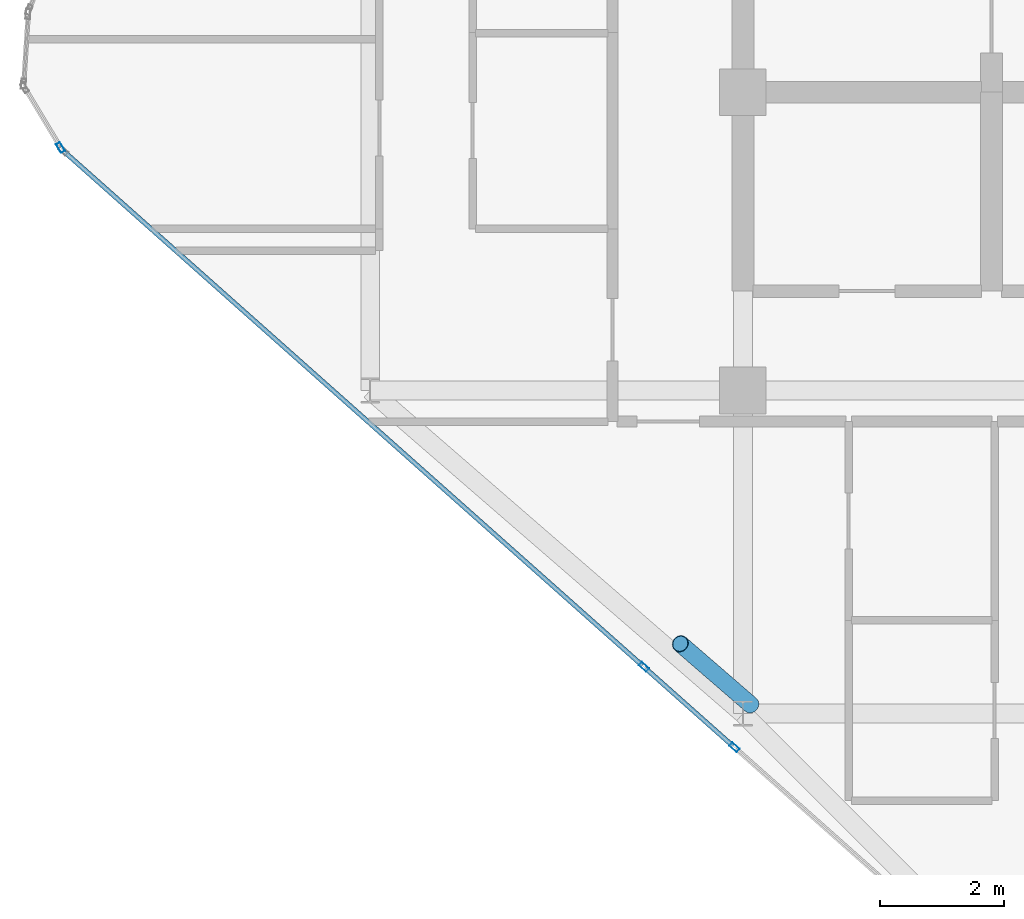
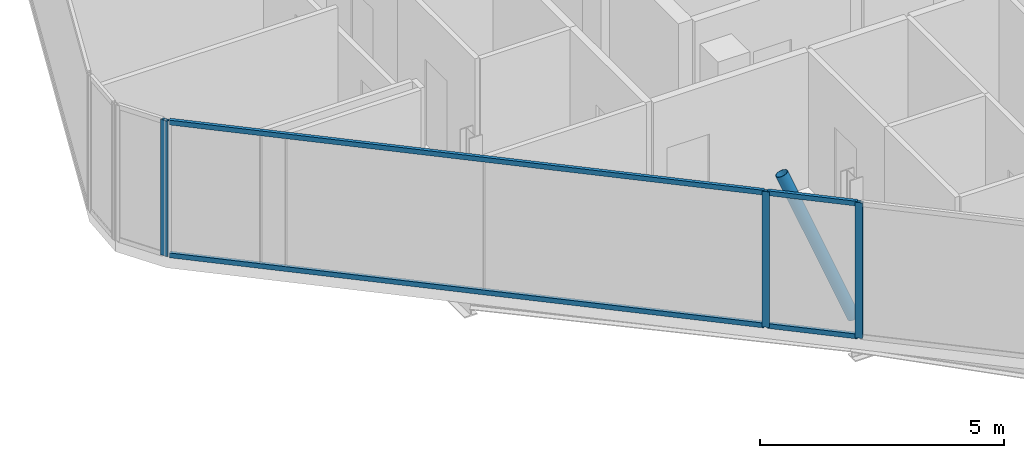
# One storey, part 3 of 27: 8 members, 4 elements without a shape of their own.
"""IFC4 building model written with IfcOpenShell, lengths in metres."""

import ifcopenshell
import ifcopenshell.guid

model = None  # the IFC model being written
_history = None  # IfcOwnerHistory: only IFC2X3 demands one
_inside = {}  # id of a spatial element -> (the spatial element, [elements in it])
_under = {}  # id of a project, library or spatial element -> (it, [spatial elements below it])
_declared = {}  # id of a project -> (the project, [libraries it declares])
_typed = {}  # id of a type object -> (the type object, [elements of that type])
_made_of = {}  # id of a material, layer set ... -> (it, [elements and type objects made of it])


def new_model(schema):
    """Start an empty IFC model of exactly this schema.

    Asked for "IFC4X3", IfcOpenShell would pick the latest addendum, in which some entities
    have other attributes; the version numbers below select the first issue.
    IFC2X3 requires an IfcOwnerHistory on every rooted entity: one is made here for all.
    """
    global model, _history
    if schema == "IFC4X3":
        model = ifcopenshell.file(schema_version=(4, 3, 0, 0))
    else:
        model = ifcopenshell.file(schema=schema)
    _inside.clear()
    _under.clear()
    _declared.clear()
    _typed.clear()
    _made_of.clear()
    _history = None
    if model.schema == "IFC2X3":
        org = make("IfcOrganization", Name="unknown")
        user = make(
            "IfcPersonAndOrganization",
            ThePerson=make("IfcPerson", FamilyName="unknown"),
            TheOrganization=org,
        )
        app = make(
            "IfcApplication",
            ApplicationDeveloper=org,
            Version="unknown",
            ApplicationFullName="unknown",
            ApplicationIdentifier="unknown",
        )
        _history = make(
            "IfcOwnerHistory",
            OwningUser=user,
            OwningApplication=app,
            ChangeAction="ADDED",
            CreationDate=0,
        )
    return model


def make(cls, **values):
    """One entity of the class cls with the attributes given. An attribute that is None is left unset."""
    return model.create_entity(
        cls, **{name: value for name, value in values.items() if value is not None}
    )


def rooted(cls, **values):
    """An entity with a GlobalId (a new one), such as an element, a storey or a relation."""
    return make(cls, GlobalId=ifcopenshell.guid.new(), OwnerHistory=_history, **values)


def si_unit(unit_type, name, prefix=None):
    """IfcSIUnit, for example si_unit("LENGTHUNIT", "METRE", prefix="MILLI")."""
    return make("IfcSIUnit", UnitType=unit_type, Prefix=prefix, Name=name)


def assignment(units):
    """IfcUnitAssignment: the units of a project."""
    return None if units is None else make("IfcUnitAssignment", Units=units)


def point(xyz):
    """IfcCartesianPoint."""
    return None if xyz is None else make("IfcCartesianPoint", Coordinates=xyz)


def direction(xyz):
    """IfcDirection."""
    return None if xyz is None else make("IfcDirection", DirectionRatios=xyz)


def frame(location, z_axis=None, x_axis=None):
    """IfcAxis2Placement3D, a coordinate frame: its origin and axes. An axis left out is left unset."""
    return make(
        "IfcAxis2Placement3D",
        Location=point(location),
        Axis=direction(z_axis),
        RefDirection=direction(x_axis),
    )


def frame_2d(location, x_axis=None):
    """IfcAxis2Placement2D, a coordinate frame in the plane: its origin and x axis."""
    return make(
        "IfcAxis2Placement2D", Location=point(location), RefDirection=direction(x_axis)
    )


def origin():
    """The frame at (0, 0, 0) with its axes left unset."""
    return frame((0.0, 0.0, 0.0))


def origin_2d():
    """The frame at (0, 0) in the plane with its x axis left unset."""
    return frame_2d((0.0, 0.0))


def place(relative_to, where):
    """IfcLocalPlacement: puts the frame where relative to a parent placement (None: the world)."""
    return make(
        "IfcLocalPlacement", PlacementRelTo=relative_to, RelativePlacement=where
    )


def context(
    kind, dimensions, precision=None, world=None, true_north=None, identifier=None
):
    """IfcGeometricRepresentationContext, for example the 3D "Model" context."""
    return make(
        "IfcGeometricRepresentationContext",
        ContextIdentifier=identifier,
        ContextType=kind,
        CoordinateSpaceDimension=dimensions,
        Precision=precision,
        WorldCoordinateSystem=world,
        TrueNorth=true_north,
    )


def subcontext(parent, identifier, kind, view, scale=None):
    """IfcGeometricRepresentationSubContext, for example "Body" below "Model"."""
    return make(
        "IfcGeometricRepresentationSubContext",
        ContextIdentifier=identifier,
        ContextType=kind,
        ParentContext=parent,
        TargetScale=scale,
        TargetView=view,
    )


def project(units=None, contexts=None):
    """IfcProject with its units and contexts."""
    return rooted(
        "IfcProject",
        Name="project",
        RepresentationContexts=contexts,
        UnitsInContext=assignment(units),
    )


def spatial(cls, under=None, at=None, **own):
    """A site, building, storey or space (cls), placed at a placement, below another one or the project."""
    s = rooted(cls, ObjectPlacement=at, **own)
    if under is not None:
        _under.setdefault(under.id(), (under, []))[1].append(s)
    return s


def profile(cls, at=None, kind="AREA", **sizes):
    """A parametric profile (cls). Its sizes go by their IFC names, for example OverallWidth=200.0."""
    return make(cls, ProfileType=kind, Position=at, **sizes)


def hollow_rectangle(**sizes):
    """IfcRectangleHollowProfileDef."""
    return profile("IfcRectangleHollowProfileDef", **sizes)


def hollow_circle(**sizes):
    """IfcCircleHollowProfileDef."""
    return profile("IfcCircleHollowProfileDef", **sizes)


def extrude(swept, where, along, depth):
    """IfcExtrudedAreaSolid: the profile swept, set in the frame where, extruded along a direction by depth."""
    return make(
        "IfcExtrudedAreaSolid",
        SweptArea=swept,
        Position=where,
        ExtrudedDirection=direction(along),
        Depth=depth,
    )


def shape(context_of_items, identifier, shape_type, items):
    """IfcShapeRepresentation: the items that make up one representation, for example the "Body"."""
    return make(
        "IfcShapeRepresentation",
        ContextOfItems=context_of_items,
        RepresentationIdentifier=identifier,
        RepresentationType=shape_type,
        Items=items,
    )


def material(Name=None, Category=None):
    """IfcMaterial."""
    return make("IfcMaterial", Name=Name, Category=Category)


def layer(
    of_material, thickness, ventilated=None, Name=None, Category=None, Priority=None
):
    """IfcMaterialLayer: one layer of a wall or slab, of a material (None: an air gap)."""
    return make(
        "IfcMaterialLayer",
        Material=of_material,
        LayerThickness=thickness,
        IsVentilated=ventilated,
        Name=Name,
        Category=Category,
        Priority=Priority,
    )


def layer_set(layers, Name=None):
    """IfcMaterialLayerSet."""
    return make("IfcMaterialLayerSet", MaterialLayers=layers, LayerSetName=Name)


def material_profile(
    of_material, cross_section, Name=None, Category=None, Priority=None
):
    """IfcMaterialProfile: a cross section and its material."""
    return make(
        "IfcMaterialProfile",
        Name=Name,
        Material=of_material,
        Profile=cross_section,
        Priority=Priority,
        Category=Category,
    )


def profile_set(profiles, Name=None, composite=None):
    """IfcMaterialProfileSet."""
    return make(
        "IfcMaterialProfileSet",
        Name=Name,
        MaterialProfiles=profiles,
        CompositeProfile=composite,
    )


def made_of(thing, what):
    """Note that an element or type object is made of a material, layer set ...; save() writes the relation."""
    if what is not None:
        _made_of.setdefault(what.id(), (what, []))[1].append(thing)
    return thing


def type_object(cls, material=None, **own):
    """A type object (cls), such as IfcWallType, which elements share."""
    return made_of(rooted(cls, **own), material)


def element(
    cls,
    number,
    at=None,
    inside=None,
    cuts=None,
    type_object=None,
    material=None,
    context=None,
    identifier="Body",
    shape_type=None,
    held_by="IfcProductDefinitionShape",
    body=None,
    shapes=None,
    **own,
):
    """One element of the class cls, such as IfcWall. Its Tag is "e" and its number.

    at: its placement. inside: the storey or other place that contains it. cuts: it is an
    opening in that element (IfcRelVoidsElement). A single representation is given by context,
    identifier, shape_type and body (its items); several are given by shapes. held_by: the class
    of the entity that holds the representations. save() writes the other relations.
    """
    e = rooted(cls, Tag="e%d" % number, ObjectPlacement=at, **own)
    if body is not None:
        shapes = [shape(context, identifier, shape_type, body)]
    if shapes is not None:
        e.Representation = make(held_by, Representations=shapes)
    if inside is not None:
        _inside.setdefault(inside.id(), (inside, []))[1].append(e)
    if cuts is not None:
        rooted(
            "IfcRelVoidsElement", RelatingBuildingElement=cuts, RelatedOpeningElement=e
        )
    if type_object is not None:
        _typed.setdefault(type_object.id(), (type_object, []))[1].append(e)
    return made_of(e, material)


def aggregate(whole, parts):
    """IfcRelAggregates: a whole, such as a stair, and the parts it consists of."""
    return rooted("IfcRelAggregates", RelatingObject=whole, RelatedObjects=parts)


def save(model, path):
    """Write the relations noted so far, then the file.

    IfcRelAggregates (storeys below a building ...), IfcRelContainedInSpatialStructure (elements
    in a storey), IfcRelDefinesByType, IfcRelAssociatesMaterial and IfcRelDeclares: one each for
    every whole, place, type object, material and project.
    """
    for whole, parts in _under.values():
        aggregate(whole, parts)
    for where, things in _inside.values():
        rooted(
            "IfcRelContainedInSpatialStructure",
            RelatedElements=things,
            RelatingStructure=where,
        )
    for kind, things in _typed.values():
        rooted("IfcRelDefinesByType", RelatedObjects=things, RelatingType=kind)
    for what, things in _made_of.values():
        rooted("IfcRelAssociatesMaterial", RelatedObjects=things, RelatingMaterial=what)
    for by, libraries in _declared.values():
        rooted("IfcRelDeclares", RelatingContext=by, RelatedDefinitions=libraries)
    model.write(path)


model = new_model("IFC4")

# Units and contexts
model_context = context("Model", 3, precision=1e-05, world=origin(), true_north=direction((0.0, 1.0)))
body_context = subcontext(model_context, "Body", "Model", "MODEL_VIEW")
ifc_project = project(units=[si_unit("LENGTHUNIT", "METRE"), si_unit("AREAUNIT", "SQUARE_METRE"), si_unit("VOLUMEUNIT", "CUBIC_METRE"), si_unit("PLANEANGLEUNIT", "RADIAN"), si_unit("MASSUNIT", "GRAM", prefix="KILO")], contexts=[model_context])

# Site, building, storey
site_placement = place(None, origin())
site = spatial("IfcSite", under=ifc_project, at=site_placement, CompositionType="ELEMENT")
building_placement = place(site_placement, origin())
building = spatial("IfcBuilding", under=site, at=building_placement, Name="Keshet Zoharim Tower", CompositionType="ELEMENT")
storey_placement = place(building_placement, frame((0.0, 0.0, 262.10009765625)))
storey = spatial("IfcBuildingStorey", under=building, at=storey_placement, Name="L65", CompositionType="ELEMENT", Elevation=262.10009765625)

# Curtain wall, member
ifc_material_1 = material(Name="Aluminium 6063-T6", Category="aluminium")
ifc_layer = layer(ifc_material_1, 0.260009765625)
ifc_layer_set = layer_set([ifc_layer], Name="Aluminium 6063-T6")
curtain_wall_type = type_object("IfcCurtainWallType", Name="CW-SYS-06", PredefinedType="NOTDEFINED", material=ifc_layer_set)
curtain_wall_1_placement = place(storey_placement, origin())
curtain_wall_1 = element("IfcCurtainWall", 1, at=curtain_wall_1_placement, inside=storey, type_object=curtain_wall_type, Name="L65 Unitised Curtain Wall 01", PredefinedType="NOTDEFINED")
ifc_material_profile_1 = material_profile(ifc_material_1, hollow_rectangle(XDim=0.074951171875, YDim=0.159912109375, WallThickness=0.00390625, at=origin_2d()), Name="MUL-75x160")
ifc_profile_set_1 = profile_set([ifc_material_profile_1], Name="Aluminium 6063-T6")
member_type_1 = type_object("IfcMemberType", Name="CWM-M15", PredefinedType="MULLION", material=ifc_profile_set_1)
member_1_placement = place(storey_placement, frame((4.016845703125, 21.81005859375, 0.0), z_axis=(0.0, 0.0, 1.0), x_axis=(-0.856826433805, -0.515604947933, 0.0)))
member_1 = element("IfcMember", 2, at=member_1_placement, type_object=member_type_1, Name="CW-06 mullion 1", PredefinedType="MULLION", context=body_context, shape_type="SweptSolid", body=[
    extrude(hollow_rectangle(XDim=0.074951171875, YDim=0.159912109375, WallThickness=0.00390625, at=origin_2d()), origin(), (0.0, 0.0, 1.0), 3.389892578125),
])
aggregate(curtain_wall_1, [member_1])

curtain_wall_2_placement = place(storey_placement, origin())
curtain_wall_2 = element("IfcCurtainWall", 3, at=curtain_wall_2_placement, inside=storey, type_object=curtain_wall_type, Name="L65 Unitised Curtain Wall 16", PredefinedType="NOTDEFINED")
member_2_placement = place(storey_placement, frame((14.863037109375, 12.155029296875, 0.0), z_axis=(0.0, 0.0, 1.0), x_axis=(-0.664362180559, -0.747410792699, 0.0)))
member_2 = element("IfcMember", 4, at=member_2_placement, type_object=member_type_1, Name="CW-06 mullion 2", PredefinedType="MULLION", context=body_context, shape_type="SweptSolid", body=[
    extrude(hollow_rectangle(XDim=0.074951171875, YDim=0.159912109375, WallThickness=0.00390625, at=origin_2d()), origin(), (0.0, 0.0, 1.0), 3.389892578125),
])
aggregate(curtain_wall_2, [member_2])

# Curtain wall, members
curtain_wall_3_placement = place(storey_placement, origin())
curtain_wall_3 = element("IfcCurtainWall", 5, at=curtain_wall_3_placement, inside=storey, type_object=curtain_wall_type, Name="L65 Unitised Curtain Wall 16 Part 2", PredefinedType="NOTDEFINED")
member_3_placement = place(storey_placement, frame((13.40576171875, 13.450439453125, 0.0), z_axis=(0.0, 0.0, 1.0), x_axis=(-0.664338369143, -0.747431957629, 0.0)))
member_3 = element("IfcMember", 6, at=member_3_placement, type_object=member_type_1, Name="CW-06 mullion 2", PredefinedType="MULLION", context=body_context, shape_type="SweptSolid", body=[
    extrude(hollow_rectangle(XDim=0.074951171875, YDim=0.159912109375, WallThickness=0.00390625, at=origin_2d()), origin(), (0.0, 0.0, 1.0), 3.389892578125),
])
ifc_material_profile_2 = material_profile(ifc_material_1, hollow_rectangle(XDim=0.074951171875, YDim=0.1201171875, WallThickness=0.00390625, at=origin_2d()), Name="TRN-75x120")
ifc_profile_set_2 = profile_set([ifc_material_profile_2], Name="Aluminium 6063-T6")
member_type_2 = type_object("IfcMemberType", Name="CWT-T12", PredefinedType="USERDEFINED", material=ifc_profile_set_2)
member_4_placement = place(storey_placement, frame((14.8369140625, 12.178466796875, 0.034912109375), z_axis=(-0.747452318941, 0.664315460387, 0.0), x_axis=(-0.664315460387, -0.747452318941, 0.0)))
member_4 = element("IfcMember", 7, at=member_4_placement, type_object=member_type_2, Name="CW-06 transom 1.1", ObjectType="TRANSOM", PredefinedType="USERDEFINED", context=body_context, shape_type="SweptSolid", body=[
    extrude(hollow_rectangle(XDim=0.074951171875, YDim=0.1201171875, WallThickness=0.00390625, at=origin_2d()), origin(), (0.0, 0.0, 1.0), 1.87939453125),
])
member_5_placement = place(storey_placement, frame((14.8369140625, 12.178466796875, 3.35498046875), z_axis=(-0.747452318941, 0.664315460387, 0.0), x_axis=(-0.664315460387, -0.747452318941, 0.0)))
member_5 = element("IfcMember", 8, at=member_5_placement, type_object=member_type_2, Name="CW-06 transom 1.2", ObjectType="TRANSOM", PredefinedType="USERDEFINED", context=body_context, shape_type="SweptSolid", body=[
    extrude(hollow_rectangle(XDim=0.074951171875, YDim=0.1201171875, WallThickness=0.00390625, at=origin_2d()), origin(), (0.0, 0.0, 1.0), 1.87939453125),
])
aggregate(curtain_wall_3, [member_3, member_4, member_5])

curtain_wall_4_placement = place(storey_placement, origin())
curtain_wall_4 = element("IfcCurtainWall", 9, at=curtain_wall_4_placement, inside=storey, type_object=curtain_wall_type, Name="L65 Unitised Curtain Wall 16 Part 3", PredefinedType="NOTDEFINED")
member_6_placement = place(storey_placement, frame((13.379638671875, 13.4736328125, 0.034912109375), z_axis=(-0.747409318684, 0.66436383883, 0.0), x_axis=(-0.66436383883, -0.747409318684, 0.0)))
member_6 = element("IfcMember", 10, at=member_6_placement, type_object=member_type_2, Name="CW-06 transom 1.1", ObjectType="TRANSOM", PredefinedType="USERDEFINED", context=body_context, shape_type="SweptSolid", body=[
    extrude(hollow_rectangle(XDim=0.074951171875, YDim=0.1201171875, WallThickness=0.00390625, at=origin_2d()), origin(), (0.0, 0.0, 1.0), 12.4326171875),
])
member_7_placement = place(storey_placement, frame((13.379638671875, 13.4736328125, 3.35498046875), z_axis=(-0.747409318684, 0.66436383883, 0.0), x_axis=(-0.66436383883, -0.747409318684, 0.0)))
member_7 = element("IfcMember", 11, at=member_7_placement, type_object=member_type_2, Name="CW-06 transom 1.2", ObjectType="TRANSOM", PredefinedType="USERDEFINED", context=body_context, shape_type="SweptSolid", body=[
    extrude(hollow_rectangle(XDim=0.074951171875, YDim=0.1201171875, WallThickness=0.00390625, at=origin_2d()), origin(), (0.0, 0.0, 1.0), 12.4326171875),
])
aggregate(curtain_wall_4, [member_6, member_7])

# Member
ifc_material_2 = material(Name="Steel S355", Category="steel")
ifc_material_profile_3 = material_profile(ifc_material_2, hollow_circle(Radius=0.136474609375, WallThickness=0.010009765625, at=origin_2d()), Name="CHS273x10")
ifc_profile_set_3 = profile_set([ifc_material_profile_3], Name="Steel S355")
member_type_3 = type_object("IfcMemberType", Name="MB-BR-C273", PredefinedType="BRACE", material=ifc_profile_set_3)
member_8_placement = place(storey_placement, frame((15.1259765625, 12.842041015625, 0.0), z_axis=(-0.305919508672, 0.264888754334, 0.914465528077), x_axis=(-0.654589683411, -0.755984355904, 0.0)))
element("IfcMember", 12, at=member_8_placement, inside=storey, type_object=member_type_3, Name="L65 Perimeter Tube Brace 01", PredefinedType="BRACE", context=body_context, shape_type="SweptSolid", body=[
    extrude(hollow_circle(Radius=0.136474609375, WallThickness=0.010009765625, at=origin_2d()), origin(), (0.0, 0.0, 1.0), 3.70703125),
])

save(model, "model.ifc")
